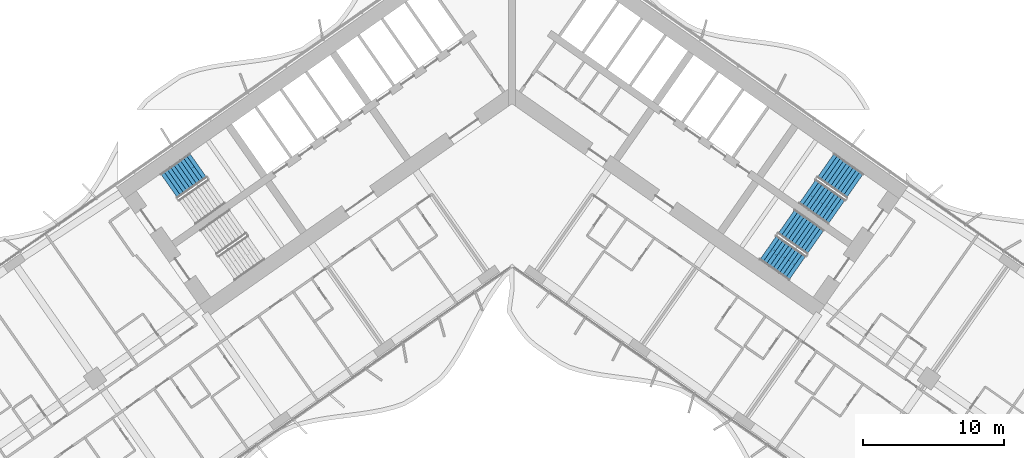
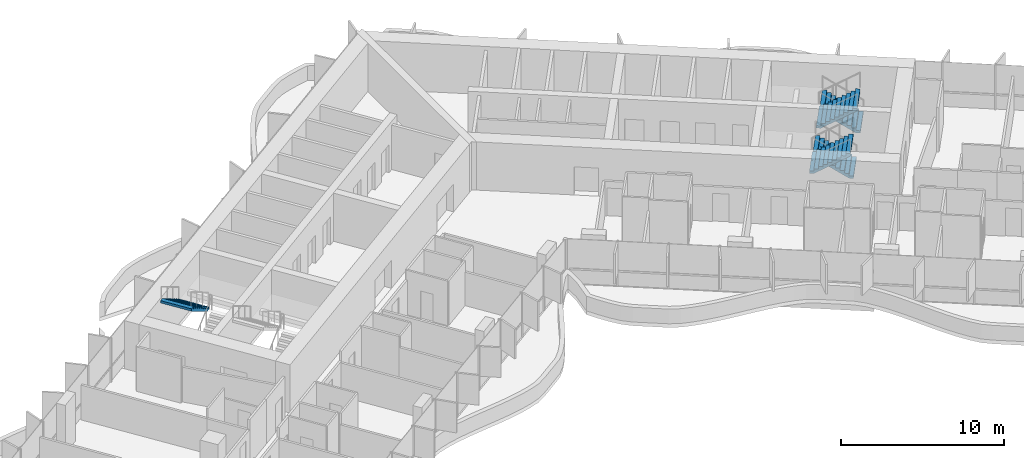
# One storey, part 19 of 25: 5 stair flights, 3 elements without a shape of their own.
"""IFC4 building model written with IfcOpenShell, lengths in metres."""

from ifc_helpers import new_model, si_unit, direction, frame, origin, place, context, subcontext, project, spatial, polyline, outline, extrude, material, type_object, element, aggregate, save


model = new_model("IFC4")

# Units and contexts
model_context = context("Model", 3, precision=1e-05, world=origin(), true_north=direction((0.0, 1.0)))
body_context = subcontext(model_context, "Body", "Model", "MODEL_VIEW")
ifc_project = project(units=[si_unit("LENGTHUNIT", "METRE"), si_unit("AREAUNIT", "SQUARE_METRE"), si_unit("VOLUMEUNIT", "CUBIC_METRE"), si_unit("PLANEANGLEUNIT", "RADIAN"), si_unit("MASSUNIT", "GRAM", prefix="KILO")], contexts=[model_context])

# Site, building, storey
site_placement = place(None, origin())
site = spatial("IfcSite", under=ifc_project, at=site_placement, CompositionType="ELEMENT")
building_placement = place(site_placement, origin())
building = spatial("IfcBuilding", under=site, at=building_placement, Name="Tel Ilan Convention Tower", CompositionType="ELEMENT")
storey_placement = place(building_placement, frame((0.0, 0.0, 54.5)))
storey = spatial("IfcBuildingStorey", under=building, at=storey_placement, Name="L08", CompositionType="ELEMENT", Elevation=54.5)

# Stair, stair flight
ifc_material_1 = material(Name="Concrete C40/50", Category="concrete")
stair_type = type_object("IfcStairType", Name="Pressurised Exit Stair 20 risers 180 mm", PredefinedType="HALF_TURN_STAIR", material=ifc_material_1)
stair_1_placement = place(storey_placement, origin())
stair_1 = element("IfcStair", 1, at=stair_1_placement, inside=storey, type_object=stair_type, Name="L08 Pressurised Stair S1", PredefinedType="HALF_TURN_STAIR")
ifc_material_2 = material(Name="Precast Concrete C40/50", Category="concrete")
stair_flight_type = type_object("IfcStairFlightType", Name="Concrete Stair Flight 2100 mm 20 risers 180 mm", PredefinedType="STRAIGHT", material=ifc_material_2)
stair_flight_1_placement = place(storey_placement, frame((-22.188232421875, -5.5869140625, 1.800048828125), z_axis=(0.0, 0.0, 1.0), x_axis=(-0.819152044289, -0.573576436351, 0.0)))
stair_flight_1 = element("IfcStairFlight", 2, at=stair_flight_1_placement, type_object=stair_flight_type, Name="S1 flight 2", NumberOfRisers=10, NumberOfTreads=9, PredefinedType="STRAIGHT", RiserHeight=0.18, TreadLength=0.28, context=body_context, shape_type="SweptSolid", body=[
    extrude(outline(polyline([(0.0, 0.0), (0.0, 0.179931640625), (0.280029296875, 0.179931640625), (0.280029296875, 0.360107421875), (0.56005859375, 0.360107421875), (0.56005859375, 0.5400390625), (0.840087890625, 0.5400390625), (0.840087890625, 0.719970703125), (1.1201171875, 0.719970703125), (1.1201171875, 0.89990234375), (1.39990234375, 0.89990234375), (1.39990234375, 1.080078125), (1.679931640625, 1.080078125), (1.679931640625, 1.260009765625), (1.9599609375, 1.260009765625), (1.9599609375, 1.43994140625), (2.239990234375, 1.43994140625), (2.239990234375, 1.6201171875), (2.52001953125, 1.6201171875), (2.52001953125, 1.800048828125), (2.52001953125, 1.44189453125), (0.277099609375, 0.0), (0.0, 0.0)])), frame((0.0, -0.100341796875, 0.0), z_axis=(0.0, -1.0, 0.0), x_axis=(1.0, 0.0, 0.0)), (0.0, 0.0, 1.0), 0.94970703125),
    extrude(outline(polyline([(0.0, 0.0), (0.0, 0.179931640625), (0.280029296875, 0.179931640625), (0.280029296875, 0.360107421875), (0.56005859375, 0.360107421875), (0.56005859375, 0.5400390625), (0.840087890625, 0.5400390625), (0.840087890625, 0.719970703125), (1.1201171875, 0.719970703125), (1.1201171875, 0.89990234375), (1.39990234375, 0.89990234375), (1.39990234375, 1.080078125), (1.679931640625, 1.080078125), (1.679931640625, 1.260009765625), (1.9599609375, 1.260009765625), (1.9599609375, 1.43994140625), (2.239990234375, 1.43994140625), (2.239990234375, 1.6201171875), (2.52001953125, 1.6201171875), (2.52001953125, 1.800048828125), (2.52001953125, 1.44189453125), (0.277099609375, 0.0), (0.0, 0.0)])), frame((0.0, -0.000244140625, 0.0), z_axis=(0.0, -1.0, 0.0), x_axis=(1.0, 0.0, 0.0)), (0.0, 0.0, 1.0), 0.099609375),
    extrude(outline(polyline([(0.0, 0.0), (0.0, 0.179931640625), (0.280029296875, 0.179931640625), (0.280029296875, 0.360107421875), (0.56005859375, 0.360107421875), (0.56005859375, 0.5400390625), (0.840087890625, 0.5400390625), (0.840087890625, 0.719970703125), (1.1201171875, 0.719970703125), (1.1201171875, 0.89990234375), (1.39990234375, 0.89990234375), (1.39990234375, 1.080078125), (1.679931640625, 1.080078125), (1.679931640625, 1.260009765625), (1.9599609375, 1.260009765625), (1.9599609375, 1.43994140625), (2.239990234375, 1.43994140625), (2.239990234375, 1.6201171875), (2.52001953125, 1.6201171875), (2.52001953125, 1.800048828125), (2.52001953125, 1.44189453125), (0.277099609375, 0.0), (0.0, 0.0)])), frame((0.0, 0.099853515625, 0.0), z_axis=(0.0, -1.0, 0.0), x_axis=(1.0, 0.0, 0.0)), (0.0, 0.0, 1.0), 0.099609375),
    extrude(outline(polyline([(0.0, 0.0), (0.0, 0.179931640625), (0.280029296875, 0.179931640625), (0.280029296875, 0.360107421875), (0.56005859375, 0.360107421875), (0.56005859375, 0.5400390625), (0.840087890625, 0.5400390625), (0.840087890625, 0.719970703125), (1.1201171875, 0.719970703125), (1.1201171875, 0.89990234375), (1.39990234375, 0.89990234375), (1.39990234375, 1.080078125), (1.679931640625, 1.080078125), (1.679931640625, 1.260009765625), (1.9599609375, 1.260009765625), (1.9599609375, 1.43994140625), (2.239990234375, 1.43994140625), (2.239990234375, 1.6201171875), (2.52001953125, 1.6201171875), (2.52001953125, 1.800048828125), (2.52001953125, 1.44189453125), (0.277099609375, 0.0), (0.0, 0.0)])), frame((0.0, 1.050048828125, 0.0), z_axis=(0.0, -1.0, 0.0), x_axis=(1.0, 0.0, 0.0)), (0.0, 0.0, 1.0), 0.94970703125),
])
aggregate(stair_1, [stair_flight_1])

# Stair, stair flights
stair_2_placement = place(storey_placement, origin())
stair_2 = element("IfcStair", 3, at=stair_2_placement, inside=storey, type_object=stair_type, Name="L08 Pressurised Stair S3", PredefinedType="HALF_TURN_STAIR")
stair_flight_2_placement = place(storey_placement, frame((24.25244140625, -7.032470703125, 0.0), z_axis=(0.0, 0.0, 1.0), x_axis=(-0.819152044289, 0.573576436351, 0.0)))
stair_flight_2 = element("IfcStairFlight", 4, at=stair_flight_2_placement, type_object=stair_flight_type, Name="S3 flight 1", NumberOfRisers=10, NumberOfTreads=9, PredefinedType="STRAIGHT", RiserHeight=0.18, TreadLength=0.28, context=body_context, shape_type="SweptSolid", body=[
    extrude(outline(polyline([(0.0, 0.0), (0.0, 0.179931640625), (0.280029296875, 0.179931640625), (0.280029296875, 0.360107421875), (0.56005859375, 0.360107421875), (0.56005859375, 0.5400390625), (0.840087890625, 0.5400390625), (0.840087890625, 0.719970703125), (1.1201171875, 0.719970703125), (1.1201171875, 0.89990234375), (1.39990234375, 0.89990234375), (1.39990234375, 1.080078125), (1.679931640625, 1.080078125), (1.679931640625, 1.260009765625), (1.9599609375, 1.260009765625), (1.9599609375, 1.43994140625), (2.239990234375, 1.43994140625), (2.239990234375, 1.6201171875), (2.52001953125, 1.6201171875), (2.52001953125, 1.800048828125), (2.52001953125, 1.44189453125), (0.277099609375, 0.0), (0.0, 0.0)])), frame((0.0, -0.100341796875, 0.0), z_axis=(0.0, -1.0, 0.0), x_axis=(1.0, 0.0, 0.0)), (0.0, 0.0, 1.0), 0.94970703125),
    extrude(outline(polyline([(0.0, 0.0), (0.0, 0.179931640625), (0.280029296875, 0.179931640625), (0.280029296875, 0.360107421875), (0.56005859375, 0.360107421875), (0.56005859375, 0.5400390625), (0.840087890625, 0.5400390625), (0.840087890625, 0.719970703125), (1.1201171875, 0.719970703125), (1.1201171875, 0.89990234375), (1.39990234375, 0.89990234375), (1.39990234375, 1.080078125), (1.679931640625, 1.080078125), (1.679931640625, 1.260009765625), (1.9599609375, 1.260009765625), (1.9599609375, 1.43994140625), (2.239990234375, 1.43994140625), (2.239990234375, 1.6201171875), (2.52001953125, 1.6201171875), (2.52001953125, 1.800048828125), (2.52001953125, 1.44189453125), (0.277099609375, 0.0), (0.0, 0.0)])), frame((0.0, -0.000244140625, 0.0), z_axis=(0.0, -1.0, 0.0), x_axis=(1.0, 0.0, 0.0)), (0.0, 0.0, 1.0), 0.099609375),
    extrude(outline(polyline([(0.0, 0.0), (0.0, 0.179931640625), (0.280029296875, 0.179931640625), (0.280029296875, 0.360107421875), (0.56005859375, 0.360107421875), (0.56005859375, 0.5400390625), (0.840087890625, 0.5400390625), (0.840087890625, 0.719970703125), (1.1201171875, 0.719970703125), (1.1201171875, 0.89990234375), (1.39990234375, 0.89990234375), (1.39990234375, 1.080078125), (1.679931640625, 1.080078125), (1.679931640625, 1.260009765625), (1.9599609375, 1.260009765625), (1.9599609375, 1.43994140625), (2.239990234375, 1.43994140625), (2.239990234375, 1.6201171875), (2.52001953125, 1.6201171875), (2.52001953125, 1.800048828125), (2.52001953125, 1.44189453125), (0.277099609375, 0.0), (0.0, 0.0)])), frame((0.0, 0.099853515625, 0.0), z_axis=(0.0, -1.0, 0.0), x_axis=(1.0, 0.0, 0.0)), (0.0, 0.0, 1.0), 0.099609375),
    extrude(outline(polyline([(0.0, 0.0), (0.0, 0.179931640625), (0.280029296875, 0.179931640625), (0.280029296875, 0.360107421875), (0.56005859375, 0.360107421875), (0.56005859375, 0.5400390625), (0.840087890625, 0.5400390625), (0.840087890625, 0.719970703125), (1.1201171875, 0.719970703125), (1.1201171875, 0.89990234375), (1.39990234375, 0.89990234375), (1.39990234375, 1.080078125), (1.679931640625, 1.080078125), (1.679931640625, 1.260009765625), (1.9599609375, 1.260009765625), (1.9599609375, 1.43994140625), (2.239990234375, 1.43994140625), (2.239990234375, 1.6201171875), (2.52001953125, 1.6201171875), (2.52001953125, 1.800048828125), (2.52001953125, 1.44189453125), (0.277099609375, 0.0), (0.0, 0.0)])), frame((0.0, 1.050048828125, 0.0), z_axis=(0.0, -1.0, 0.0), x_axis=(1.0, 0.0, 0.0)), (0.0, 0.0, 1.0), 0.94970703125),
])
stair_flight_3_placement = place(storey_placement, frame((20.8974609375, -7.43017578125, 1.800048828125), z_axis=(0.0, 0.0, 1.0), x_axis=(0.819152044289, -0.573576436351, 0.0)))
stair_flight_3 = element("IfcStairFlight", 5, at=stair_flight_3_placement, type_object=stair_flight_type, Name="S3 flight 2", NumberOfRisers=10, NumberOfTreads=9, PredefinedType="STRAIGHT", RiserHeight=0.18, TreadLength=0.28, context=body_context, shape_type="SweptSolid", body=[
    extrude(outline(polyline([(0.0, 0.0), (0.0, 0.179931640625), (0.280029296875, 0.179931640625), (0.280029296875, 0.360107421875), (0.56005859375, 0.360107421875), (0.56005859375, 0.5400390625), (0.840087890625, 0.5400390625), (0.840087890625, 0.719970703125), (1.1201171875, 0.719970703125), (1.1201171875, 0.89990234375), (1.39990234375, 0.89990234375), (1.39990234375, 1.080078125), (1.679931640625, 1.080078125), (1.679931640625, 1.260009765625), (1.9599609375, 1.260009765625), (1.9599609375, 1.43994140625), (2.239990234375, 1.43994140625), (2.239990234375, 1.6201171875), (2.52001953125, 1.6201171875), (2.52001953125, 1.800048828125), (2.52001953125, 1.44189453125), (0.277099609375, 0.0), (0.0, 0.0)])), frame((0.0, -0.100341796875, 0.0), z_axis=(0.0, -1.0, 0.0), x_axis=(1.0, 0.0, 0.0)), (0.0, 0.0, 1.0), 0.94970703125),
    extrude(outline(polyline([(0.0, 0.0), (0.0, 0.179931640625), (0.280029296875, 0.179931640625), (0.280029296875, 0.360107421875), (0.56005859375, 0.360107421875), (0.56005859375, 0.5400390625), (0.840087890625, 0.5400390625), (0.840087890625, 0.719970703125), (1.1201171875, 0.719970703125), (1.1201171875, 0.89990234375), (1.39990234375, 0.89990234375), (1.39990234375, 1.080078125), (1.679931640625, 1.080078125), (1.679931640625, 1.260009765625), (1.9599609375, 1.260009765625), (1.9599609375, 1.43994140625), (2.239990234375, 1.43994140625), (2.239990234375, 1.6201171875), (2.52001953125, 1.6201171875), (2.52001953125, 1.800048828125), (2.52001953125, 1.44189453125), (0.277099609375, 0.0), (0.0, 0.0)])), frame((0.0, -0.000244140625, 0.0), z_axis=(0.0, -1.0, 0.0), x_axis=(1.0, 0.0, 0.0)), (0.0, 0.0, 1.0), 0.099609375),
    extrude(outline(polyline([(0.0, 0.0), (0.0, 0.179931640625), (0.280029296875, 0.179931640625), (0.280029296875, 0.360107421875), (0.56005859375, 0.360107421875), (0.56005859375, 0.5400390625), (0.840087890625, 0.5400390625), (0.840087890625, 0.719970703125), (1.1201171875, 0.719970703125), (1.1201171875, 0.89990234375), (1.39990234375, 0.89990234375), (1.39990234375, 1.080078125), (1.679931640625, 1.080078125), (1.679931640625, 1.260009765625), (1.9599609375, 1.260009765625), (1.9599609375, 1.43994140625), (2.239990234375, 1.43994140625), (2.239990234375, 1.6201171875), (2.52001953125, 1.6201171875), (2.52001953125, 1.800048828125), (2.52001953125, 1.44189453125), (0.277099609375, 0.0), (0.0, 0.0)])), frame((0.0, 0.099853515625, 0.0), z_axis=(0.0, -1.0, 0.0), x_axis=(1.0, 0.0, 0.0)), (0.0, 0.0, 1.0), 0.099609375),
    extrude(outline(polyline([(0.0, 0.0), (0.0, 0.179931640625), (0.280029296875, 0.179931640625), (0.280029296875, 0.360107421875), (0.56005859375, 0.360107421875), (0.56005859375, 0.5400390625), (0.840087890625, 0.5400390625), (0.840087890625, 0.719970703125), (1.1201171875, 0.719970703125), (1.1201171875, 0.89990234375), (1.39990234375, 0.89990234375), (1.39990234375, 1.080078125), (1.679931640625, 1.080078125), (1.679931640625, 1.260009765625), (1.9599609375, 1.260009765625), (1.9599609375, 1.43994140625), (2.239990234375, 1.43994140625), (2.239990234375, 1.6201171875), (2.52001953125, 1.6201171875), (2.52001953125, 1.800048828125), (2.52001953125, 1.44189453125), (0.277099609375, 0.0), (0.0, 0.0)])), frame((0.0, 1.050048828125, 0.0), z_axis=(0.0, -1.0, 0.0), x_axis=(1.0, 0.0, 0.0)), (0.0, 0.0, 1.0), 0.94970703125),
])
aggregate(stair_2, [stair_flight_2, stair_flight_3])

stair_3_placement = place(storey_placement, origin())
stair_3 = element("IfcStair", 6, at=stair_3_placement, inside=storey, type_object=stair_type, Name="L08 Pressurised Stair S4", PredefinedType="HALF_TURN_STAIR")
stair_flight_4_placement = place(storey_placement, frame((21.470458984375, -11.00537109375, 0.0), z_axis=(0.0, 0.0, 1.0), x_axis=(-0.819152044289, 0.573576436351, 0.0)))
stair_flight_4 = element("IfcStairFlight", 7, at=stair_flight_4_placement, type_object=stair_flight_type, Name="S4 flight 1", NumberOfRisers=10, NumberOfTreads=9, PredefinedType="STRAIGHT", RiserHeight=0.18, TreadLength=0.28, context=body_context, shape_type="SweptSolid", body=[
    extrude(outline(polyline([(0.0, 0.0), (0.0, 0.179931640625), (0.280029296875, 0.179931640625), (0.280029296875, 0.360107421875), (0.56005859375, 0.360107421875), (0.56005859375, 0.5400390625), (0.840087890625, 0.5400390625), (0.840087890625, 0.719970703125), (1.1201171875, 0.719970703125), (1.1201171875, 0.89990234375), (1.39990234375, 0.89990234375), (1.39990234375, 1.080078125), (1.679931640625, 1.080078125), (1.679931640625, 1.260009765625), (1.9599609375, 1.260009765625), (1.9599609375, 1.43994140625), (2.239990234375, 1.43994140625), (2.239990234375, 1.6201171875), (2.52001953125, 1.6201171875), (2.52001953125, 1.800048828125), (2.52001953125, 1.44189453125), (0.277099609375, 0.0), (0.0, 0.0)])), frame((0.0, -0.100341796875, 0.0), z_axis=(0.0, -1.0, 0.0), x_axis=(1.0, 0.0, 0.0)), (0.0, 0.0, 1.0), 0.94970703125),
    extrude(outline(polyline([(0.0, 0.0), (0.0, 0.179931640625), (0.280029296875, 0.179931640625), (0.280029296875, 0.360107421875), (0.56005859375, 0.360107421875), (0.56005859375, 0.5400390625), (0.840087890625, 0.5400390625), (0.840087890625, 0.719970703125), (1.1201171875, 0.719970703125), (1.1201171875, 0.89990234375), (1.39990234375, 0.89990234375), (1.39990234375, 1.080078125), (1.679931640625, 1.080078125), (1.679931640625, 1.260009765625), (1.9599609375, 1.260009765625), (1.9599609375, 1.43994140625), (2.239990234375, 1.43994140625), (2.239990234375, 1.6201171875), (2.52001953125, 1.6201171875), (2.52001953125, 1.800048828125), (2.52001953125, 1.44189453125), (0.277099609375, 0.0), (0.0, 0.0)])), frame((0.0, -0.000244140625, 0.0), z_axis=(0.0, -1.0, 0.0), x_axis=(1.0, 0.0, 0.0)), (0.0, 0.0, 1.0), 0.099609375),
    extrude(outline(polyline([(0.0, 0.0), (0.0, 0.179931640625), (0.280029296875, 0.179931640625), (0.280029296875, 0.360107421875), (0.56005859375, 0.360107421875), (0.56005859375, 0.5400390625), (0.840087890625, 0.5400390625), (0.840087890625, 0.719970703125), (1.1201171875, 0.719970703125), (1.1201171875, 0.89990234375), (1.39990234375, 0.89990234375), (1.39990234375, 1.080078125), (1.679931640625, 1.080078125), (1.679931640625, 1.260009765625), (1.9599609375, 1.260009765625), (1.9599609375, 1.43994140625), (2.239990234375, 1.43994140625), (2.239990234375, 1.6201171875), (2.52001953125, 1.6201171875), (2.52001953125, 1.800048828125), (2.52001953125, 1.44189453125), (0.277099609375, 0.0), (0.0, 0.0)])), frame((0.0, 0.099853515625, 0.0), z_axis=(0.0, -1.0, 0.0), x_axis=(1.0, 0.0, 0.0)), (0.0, 0.0, 1.0), 0.099609375),
    extrude(outline(polyline([(0.0, 0.0), (0.0, 0.179931640625), (0.280029296875, 0.179931640625), (0.280029296875, 0.360107421875), (0.56005859375, 0.360107421875), (0.56005859375, 0.5400390625), (0.840087890625, 0.5400390625), (0.840087890625, 0.719970703125), (1.1201171875, 0.719970703125), (1.1201171875, 0.89990234375), (1.39990234375, 0.89990234375), (1.39990234375, 1.080078125), (1.679931640625, 1.080078125), (1.679931640625, 1.260009765625), (1.9599609375, 1.260009765625), (1.9599609375, 1.43994140625), (2.239990234375, 1.43994140625), (2.239990234375, 1.6201171875), (2.52001953125, 1.6201171875), (2.52001953125, 1.800048828125), (2.52001953125, 1.44189453125), (0.277099609375, 0.0), (0.0, 0.0)])), frame((0.0, 1.050048828125, 0.0), z_axis=(0.0, -1.0, 0.0), x_axis=(1.0, 0.0, 0.0)), (0.0, 0.0, 1.0), 0.94970703125),
])
stair_flight_5_placement = place(storey_placement, frame((18.11572265625, -11.403076171875, 1.800048828125), z_axis=(0.0, 0.0, 1.0), x_axis=(0.819152044289, -0.573576436351, 0.0)))
stair_flight_5 = element("IfcStairFlight", 8, at=stair_flight_5_placement, type_object=stair_flight_type, Name="S4 flight 2", NumberOfRisers=10, NumberOfTreads=9, PredefinedType="STRAIGHT", RiserHeight=0.18, TreadLength=0.28, context=body_context, shape_type="SweptSolid", body=[
    extrude(outline(polyline([(0.0, 0.0), (0.0, 0.179931640625), (0.280029296875, 0.179931640625), (0.280029296875, 0.360107421875), (0.56005859375, 0.360107421875), (0.56005859375, 0.5400390625), (0.840087890625, 0.5400390625), (0.840087890625, 0.719970703125), (1.1201171875, 0.719970703125), (1.1201171875, 0.89990234375), (1.39990234375, 0.89990234375), (1.39990234375, 1.080078125), (1.679931640625, 1.080078125), (1.679931640625, 1.260009765625), (1.9599609375, 1.260009765625), (1.9599609375, 1.43994140625), (2.239990234375, 1.43994140625), (2.239990234375, 1.6201171875), (2.52001953125, 1.6201171875), (2.52001953125, 1.800048828125), (2.52001953125, 1.44189453125), (0.277099609375, 0.0), (0.0, 0.0)])), frame((0.0, -0.100341796875, 0.0), z_axis=(0.0, -1.0, 0.0), x_axis=(1.0, 0.0, 0.0)), (0.0, 0.0, 1.0), 0.94970703125),
    extrude(outline(polyline([(0.0, 0.0), (0.0, 0.179931640625), (0.280029296875, 0.179931640625), (0.280029296875, 0.360107421875), (0.56005859375, 0.360107421875), (0.56005859375, 0.5400390625), (0.840087890625, 0.5400390625), (0.840087890625, 0.719970703125), (1.1201171875, 0.719970703125), (1.1201171875, 0.89990234375), (1.39990234375, 0.89990234375), (1.39990234375, 1.080078125), (1.679931640625, 1.080078125), (1.679931640625, 1.260009765625), (1.9599609375, 1.260009765625), (1.9599609375, 1.43994140625), (2.239990234375, 1.43994140625), (2.239990234375, 1.6201171875), (2.52001953125, 1.6201171875), (2.52001953125, 1.800048828125), (2.52001953125, 1.44189453125), (0.277099609375, 0.0), (0.0, 0.0)])), frame((0.0, -0.000244140625, 0.0), z_axis=(0.0, -1.0, 0.0), x_axis=(1.0, 0.0, 0.0)), (0.0, 0.0, 1.0), 0.099609375),
    extrude(outline(polyline([(0.0, 0.0), (0.0, 0.179931640625), (0.280029296875, 0.179931640625), (0.280029296875, 0.360107421875), (0.56005859375, 0.360107421875), (0.56005859375, 0.5400390625), (0.840087890625, 0.5400390625), (0.840087890625, 0.719970703125), (1.1201171875, 0.719970703125), (1.1201171875, 0.89990234375), (1.39990234375, 0.89990234375), (1.39990234375, 1.080078125), (1.679931640625, 1.080078125), (1.679931640625, 1.260009765625), (1.9599609375, 1.260009765625), (1.9599609375, 1.43994140625), (2.239990234375, 1.43994140625), (2.239990234375, 1.6201171875), (2.52001953125, 1.6201171875), (2.52001953125, 1.800048828125), (2.52001953125, 1.44189453125), (0.277099609375, 0.0), (0.0, 0.0)])), frame((0.0, 0.099853515625, 0.0), z_axis=(0.0, -1.0, 0.0), x_axis=(1.0, 0.0, 0.0)), (0.0, 0.0, 1.0), 0.099609375),
    extrude(outline(polyline([(0.0, 0.0), (0.0, 0.179931640625), (0.280029296875, 0.179931640625), (0.280029296875, 0.360107421875), (0.56005859375, 0.360107421875), (0.56005859375, 0.5400390625), (0.840087890625, 0.5400390625), (0.840087890625, 0.719970703125), (1.1201171875, 0.719970703125), (1.1201171875, 0.89990234375), (1.39990234375, 0.89990234375), (1.39990234375, 1.080078125), (1.679931640625, 1.080078125), (1.679931640625, 1.260009765625), (1.9599609375, 1.260009765625), (1.9599609375, 1.43994140625), (2.239990234375, 1.43994140625), (2.239990234375, 1.6201171875), (2.52001953125, 1.6201171875), (2.52001953125, 1.800048828125), (2.52001953125, 1.44189453125), (0.277099609375, 0.0), (0.0, 0.0)])), frame((0.0, 1.050048828125, 0.0), z_axis=(0.0, -1.0, 0.0), x_axis=(1.0, 0.0, 0.0)), (0.0, 0.0, 1.0), 0.94970703125),
])
aggregate(stair_3, [stair_flight_4, stair_flight_5])

save(model, "model.ifc")
